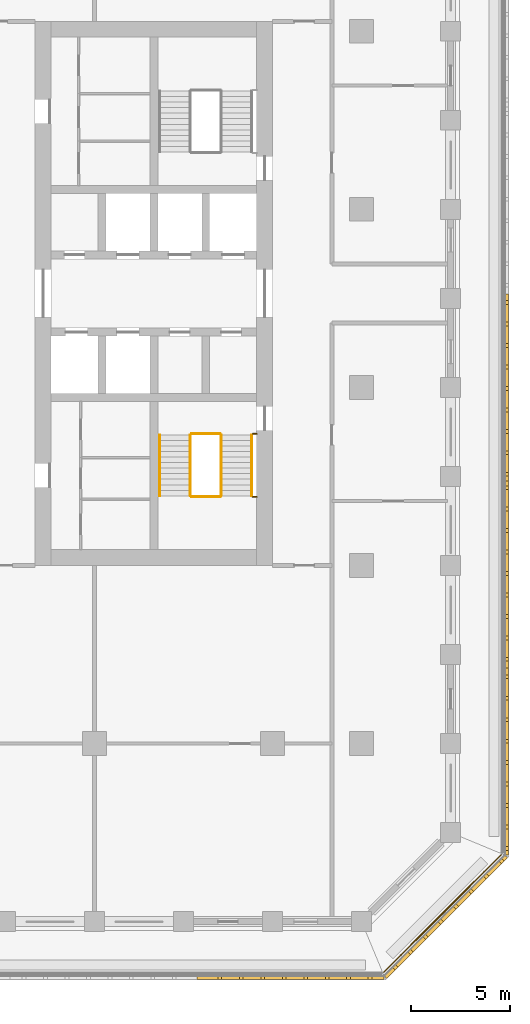
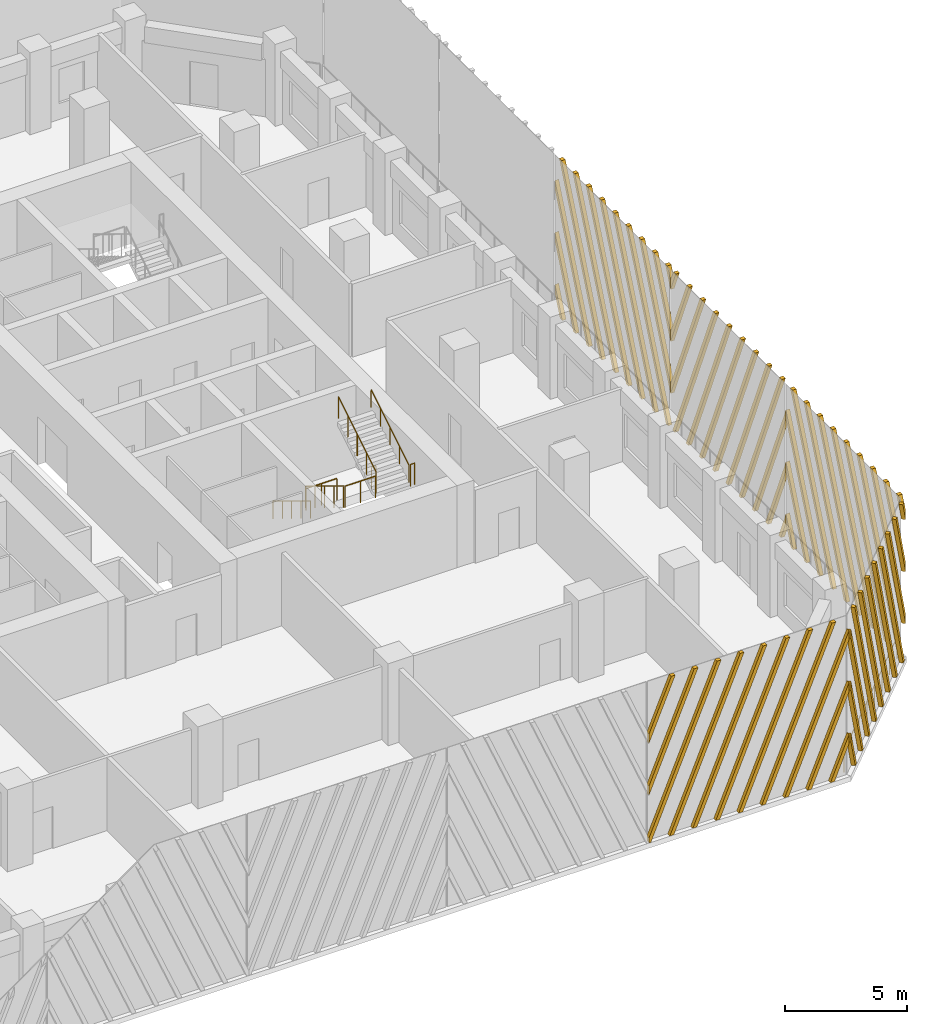
# One storey, part 11 of 16: 9 railings, 5 shading devices.
"""IFC4 building model written with IfcOpenShell, lengths in metres."""

from ifc_helpers import new_model, si_unit, direction, frame, origin, origin_2d, place, context, subcontext, project, spatial, polyline, circle, outline, extrude, source, transform, mapped, material, type_object, element, save


model = new_model("IFC4")

# Units and contexts
model_context = context("Model", 3, precision=1e-05, world=origin(), true_north=direction((0.0, 1.0)))
body_context = subcontext(model_context, "Body", "Model", "MODEL_VIEW")
ifc_project = project(units=[si_unit("LENGTHUNIT", "METRE"), si_unit("AREAUNIT", "SQUARE_METRE"), si_unit("VOLUMEUNIT", "CUBIC_METRE"), si_unit("PLANEANGLEUNIT", "RADIAN"), si_unit("MASSUNIT", "GRAM", prefix="KILO")], contexts=[model_context])

# Site, building, storey
site_placement = place(None, origin())
site = spatial("IfcSite", under=ifc_project, at=site_placement, CompositionType="ELEMENT")
building_placement = place(site_placement, origin())
building = spatial("IfcBuilding", under=site, at=building_placement, Name="Corbel Stack Research Tower", CompositionType="ELEMENT")
storey_placement = place(building_placement, frame((0.0, 0.0, 173.199951171875)))
storey = spatial("IfcBuildingStorey", under=building, at=storey_placement, Name="L39", CompositionType="ELEMENT", Elevation=173.199951171875)

# Railings
ifc_material_1 = material(Name="Steel S355", Category="steel")
railing_type_1 = type_object("IfcRailingType", Name="Stair guard 1100", PredefinedType="GUARDRAIL", material=ifc_material_1)
railing_1_placement = place(storey_placement, frame((13.85009765625, -2.39990234375, 0.1708984375)))
element("IfcRailing", 1, at=railing_1_placement, inside=storey, type_object=railing_type_1, Name="L39 ST-E1 stair guard 1", PredefinedType="GUARDRAIL", context=body_context, shape_type="SweptSolid", body=[
    extrude(circle(Radius=0.02392578125, at=origin_2d()), frame((0.0, 0.0, 1.076171875), z_axis=(0.0, -0.853666305674, 0.52082035152), x_axis=(1.0, 0.0, 0.0)), (0.0, 0.0, 1.0), 3.608154296875),
    extrude(circle(Radius=0.02099609375, at=origin_2d()), origin(), (0.0, 0.0, 1.0), 1.052001953125),
    extrude(circle(Radius=0.02099609375, at=origin_2d()), frame((0.0, -0.77001953125, 0.4697265625)), (0.0, 0.0, 1.0), 1.052001953125),
    extrude(circle(Radius=0.02099609375, at=origin_2d()), frame((0.0, -1.5400390625, 0.939453125)), (0.0, 0.0, 1.0), 1.052001953125),
    extrude(circle(Radius=0.02099609375, at=origin_2d()), frame((0.0, -2.31005859375, 1.409423828125)), (0.0, 0.0, 1.0), 1.052001953125),
    extrude(circle(Radius=0.02099609375, at=origin_2d()), frame((0.0, -3.080078125, 1.879150390625)), (0.0, 0.0, 1.0), 1.052001953125),
])
railing_2_placement = place(storey_placement, frame((13.89990234375, -5.530029296875, 2.050048828125)))
element("IfcRailing", 2, at=railing_2_placement, inside=storey, type_object=railing_type_1, Name="L39 ST-E1 stair guard 2", PredefinedType="GUARDRAIL", context=body_context, shape_type="SweptSolid", body=[
    extrude(circle(Radius=0.02392578125, at=origin_2d()), frame((0.0, 0.0, 1.076171875), z_axis=(1.0, 0.0, 0.0), x_axis=(0.0, 1.0, 0.0)), (0.0, 0.0, 1.0), 1.4501953125),
    extrude(circle(Radius=0.02099609375, at=origin_2d()), origin(), (0.0, 0.0, 1.0), 1.052001953125),
    extrude(circle(Radius=0.02099609375, at=origin_2d()), frame((0.72509765625, 0.0, 0.0)), (0.0, 0.0, 1.0), 1.052001953125),
    extrude(circle(Radius=0.02099609375, at=origin_2d()), frame((1.4501953125, 0.0, 0.0)), (0.0, 0.0, 1.0), 1.052001953125),
])
railing_3_placement = place(storey_placement, frame((17.0, -5.530029296875, 2.050048828125)))
element("IfcRailing", 3, at=railing_3_placement, inside=storey, type_object=railing_type_1, Name="L39 ST-E1 stair guard 3", PredefinedType="GUARDRAIL", context=body_context, shape_type="SweptSolid", body=[
    extrude(circle(Radius=0.02392578125, at=origin_2d()), frame((0.0, 0.0, 1.076171875), z_axis=(1.0, 0.0, 0.0), x_axis=(0.0, 1.0, 0.0)), (0.0, 0.0, 1.0), 0.199951171875),
    extrude(circle(Radius=0.02099609375, at=origin_2d()), origin(), (0.0, 0.0, 1.0), 1.052001953125),
    extrude(circle(Radius=0.02099609375, at=origin_2d()), frame((0.199951171875, 0.0, 0.0)), (0.0, 0.0, 1.0), 1.052001953125),
])
railing_4_placement = place(storey_placement, frame((15.39990234375, -5.47998046875, 2.220947265625)))
element("IfcRailing", 4, at=railing_4_placement, inside=storey, type_object=railing_type_1, Name="L39 ST-E1 stair guard 4", PredefinedType="GUARDRAIL", context=body_context, shape_type="SweptSolid", body=[
    extrude(circle(Radius=0.02392578125, at=origin_2d()), frame((0.0, 0.0, 1.076171875), z_axis=(0.0, 0.853666305674, 0.52082035152), x_axis=(-1.0, 0.0, 0.0)), (0.0, 0.0, 1.0), 3.608154296875),
    extrude(circle(Radius=0.02099609375, at=origin_2d()), origin(), (0.0, 0.0, 1.0), 1.052001953125),
    extrude(circle(Radius=0.02099609375, at=origin_2d()), frame((0.0, 0.77001953125, 0.4697265625)), (0.0, 0.0, 1.0), 1.052001953125),
    extrude(circle(Radius=0.02099609375, at=origin_2d()), frame((0.0, 1.5400390625, 0.939453125)), (0.0, 0.0, 1.0), 1.052001953125),
    extrude(circle(Radius=0.02099609375, at=origin_2d()), frame((0.0, 2.31005859375, 1.409423828125)), (0.0, 0.0, 1.0), 1.052001953125),
    extrude(circle(Radius=0.02099609375, at=origin_2d()), frame((0.0, 3.080078125, 1.879150390625)), (0.0, 0.0, 1.0), 1.052001953125),
])
railing_5_placement = place(storey_placement, frame((13.89990234375, -2.35009765625, 0.0)))
element("IfcRailing", 5, at=railing_5_placement, inside=storey, type_object=railing_type_1, Name="L39 ST-E1 stair guard 5", PredefinedType="GUARDRAIL", context=body_context, shape_type="SweptSolid", body=[
    extrude(circle(Radius=0.02392578125, at=origin_2d()), frame((0.0, 0.0, 1.076171875), z_axis=(1.0, 0.0, 0.0), x_axis=(0.0, 1.0, 0.0)), (0.0, 0.0, 1.0), 1.4501953125),
    extrude(circle(Radius=0.02099609375, at=origin_2d()), origin(), (0.0, 0.0, 1.0), 1.052001953125),
    extrude(circle(Radius=0.02099609375, at=origin_2d()), frame((0.72509765625, 0.0, 0.0)), (0.0, 0.0, 1.0), 1.052001953125),
    extrude(circle(Radius=0.02099609375, at=origin_2d()), frame((1.4501953125, 0.0, 0.0)), (0.0, 0.0, 1.0), 1.052001953125),
])
railing_6_placement = place(storey_placement, frame((17.0, -2.35009765625, 0.0)))
element("IfcRailing", 6, at=railing_6_placement, inside=storey, type_object=railing_type_1, Name="L39 ST-E1 stair guard 6", PredefinedType="GUARDRAIL", context=body_context, shape_type="SweptSolid", body=[
    extrude(circle(Radius=0.02392578125, at=origin_2d()), frame((0.0, 0.0, 1.076171875), z_axis=(1.0, 0.0, 0.0), x_axis=(0.0, 1.0, 0.0)), (0.0, 0.0, 1.0), 0.199951171875),
    extrude(circle(Radius=0.02099609375, at=origin_2d()), origin(), (0.0, 0.0, 1.0), 1.052001953125),
    extrude(circle(Radius=0.02099609375, at=origin_2d()), frame((0.199951171875, 0.0, 0.0)), (0.0, 0.0, 1.0), 1.052001953125),
])
ifc_material_2 = material(Name="Steel S355", Category="steel")
railing_type_2 = type_object("IfcRailingType", Name="Stair handrail 900", PredefinedType="HANDRAIL", material=ifc_material_2)
railing_7_placement = place(storey_placement, frame((12.300048828125, -2.39990234375, 0.1708984375)))
element("IfcRailing", 7, at=railing_7_placement, inside=storey, type_object=railing_type_2, Name="L39 ST-E1 stair handrail 1", PredefinedType="HANDRAIL", context=body_context, shape_type="SweptSolid", body=[
    extrude(circle(Radius=0.02392578125, at=origin_2d()), frame((0.0, 0.0, 0.8759765625), z_axis=(0.0, -0.853666305674, 0.52082035152), x_axis=(1.0, 0.0, 0.0)), (0.0, 0.0, 1.0), 3.608154296875),
    extrude(circle(Radius=0.02099609375, at=origin_2d()), origin(), (0.0, 0.0, 1.0), 0.851806640625),
    extrude(circle(Radius=0.02099609375, at=origin_2d()), frame((0.0, -0.77001953125, 0.4697265625)), (0.0, 0.0, 1.0), 0.851806640625),
    extrude(circle(Radius=0.02099609375, at=origin_2d()), frame((0.0, -1.5400390625, 0.939453125)), (0.0, 0.0, 1.0), 0.851806640625),
    extrude(circle(Radius=0.02099609375, at=origin_2d()), frame((0.0, -2.31005859375, 1.409423828125)), (0.0, 0.0, 1.0), 0.851806640625),
    extrude(circle(Radius=0.02099609375, at=origin_2d()), frame((0.0, -3.080078125, 1.879150390625)), (0.0, 0.0, 1.0), 0.851806640625),
])
railing_8_placement = place(storey_placement, frame((16.949951171875, -5.47998046875, 2.220947265625)))
element("IfcRailing", 8, at=railing_8_placement, inside=storey, type_object=railing_type_2, Name="L39 ST-E1 stair handrail 2", PredefinedType="HANDRAIL", context=body_context, shape_type="SweptSolid", body=[
    extrude(circle(Radius=0.02392578125, at=origin_2d()), frame((0.0, 0.0, 0.8759765625), z_axis=(0.0, 0.853666305674, 0.52082035152), x_axis=(-1.0, 0.0, 0.0)), (0.0, 0.0, 1.0), 3.608154296875),
    extrude(circle(Radius=0.02099609375, at=origin_2d()), origin(), (0.0, 0.0, 1.0), 0.851806640625),
    extrude(circle(Radius=0.02099609375, at=origin_2d()), frame((0.0, 0.77001953125, 0.4697265625)), (0.0, 0.0, 1.0), 0.851806640625),
    extrude(circle(Radius=0.02099609375, at=origin_2d()), frame((0.0, 1.5400390625, 0.939453125)), (0.0, 0.0, 1.0), 0.851806640625),
    extrude(circle(Radius=0.02099609375, at=origin_2d()), frame((0.0, 2.31005859375, 1.409423828125)), (0.0, 0.0, 1.0), 0.851806640625),
    extrude(circle(Radius=0.02099609375, at=origin_2d()), frame((0.0, 3.080078125, 1.879150390625)), (0.0, 0.0, 1.0), 0.851806640625),
])
ifc_material_3 = material(Name="Powder-coated steel guard", Category="steel")
railing_type_3 = type_object("IfcRailingType", Name="Steel and glass guard 1100", PredefinedType="GUARDRAIL", material=ifc_material_3)
railing_9_placement = place(storey_placement, frame((23.627685546875, -29.54931640625, 0.0)))
element("IfcRailing", 9, at=railing_9_placement, inside=storey, type_object=railing_type_3, Name="Loggia guard L39 SE", PredefinedType="GUARDRAIL", context=body_context, shape_type="SweptSolid", body=[
    extrude(circle(Radius=0.02392578125, at=origin_2d()), frame((0.0, 0.0, 1.076171875), z_axis=(0.707106781187, 0.707106781187, 0.0), x_axis=(-0.707106781187, 0.707106781187, 0.0)), (0.0, 0.0, 1.0), 8.37451171875),
    extrude(circle(Radius=0.02099609375, at=origin_2d()), origin(), (0.0, 0.0, 1.0), 1.052001953125),
    extrude(circle(Radius=0.02099609375, at=origin_2d()), frame((0.845947265625, 0.845947265625, 0.0)), (0.0, 0.0, 1.0), 1.052001953125),
    extrude(circle(Radius=0.02099609375, at=origin_2d()), frame((1.69189453125, 1.69189453125, 0.0)), (0.0, 0.0, 1.0), 1.052001953125),
    extrude(circle(Radius=0.02099609375, at=origin_2d()), frame((2.537841796875, 2.537841796875, 0.0)), (0.0, 0.0, 1.0), 1.052001953125),
    extrude(circle(Radius=0.02099609375, at=origin_2d()), frame((3.3837890625, 3.3837890625, 0.0)), (0.0, 0.0, 1.0), 1.052001953125),
    extrude(circle(Radius=0.02099609375, at=origin_2d()), frame((4.229736328125, 4.229736328125, 0.0)), (0.0, 0.0, 1.0), 1.052001953125),
    extrude(circle(Radius=0.02099609375, at=origin_2d()), frame((5.07568359375, 5.07568359375, 0.0)), (0.0, 0.0, 1.0), 1.052001953125),
    extrude(circle(Radius=0.02099609375, at=origin_2d()), frame((5.921630859375, 5.921630859375, 0.0)), (0.0, 0.0, 1.0), 1.052001953125),
])

# Shading devices
ifc_material_4 = material(Name="Precast terracotta", Category="masonry")
shading_device_type = type_object("IfcShadingDeviceType", Name="Terracotta screen panel", PredefinedType="USERDEFINED", material=ifc_material_4)
shared_shape_1 = source(origin(), body_context, "Body", "SweptSolid", [
    extrude(outline(polyline([(1.245849609375, 7.949951171875), (1.055908203125, 7.949951171875), (0.0, 5.421875), (0.0, 4.966796875), (1.245849609375, 7.949951171875)])), frame((0.0, 0.0, 0.0), z_axis=(0.0, -1.0, 0.0), x_axis=(1.0, 0.0, 0.0)), (0.0, 0.0, 1.0), 0.179931640625),
    extrude(outline(polyline([(2.33056640625, 7.949951171875), (2.140380859375, 7.949951171875), (0.0, 2.82470703125), (0.0, 2.36962890625), (2.33056640625, 7.949951171875)])), frame((0.0, 0.0, 0.0), z_axis=(0.0, -1.0, 0.0), x_axis=(1.0, 0.0, 0.0)), (0.0, 0.0, 1.0), 0.179931640625),
    extrude(outline(polyline([(0.094970703125, 0.0), (3.415283203125, 7.949951171875), (3.22509765625, 7.949951171875), (0.0, 0.2275390625), (0.0, 0.0), (0.094970703125, 0.0)])), frame((0.0, 0.0, 0.0), z_axis=(0.0, -1.0, 0.0), x_axis=(1.0, 0.0, 0.0)), (0.0, 0.0, 1.0), 0.179931640625),
    extrude(outline(polyline([(1.1796875, 0.0), (4.499755859375, 7.949951171875), (4.309814453125, 7.949951171875), (0.98974609375, 0.0), (1.1796875, 0.0)])), frame((0.0, 0.0, 0.0), z_axis=(0.0, -1.0, 0.0), x_axis=(1.0, 0.0, 0.0)), (0.0, 0.0, 1.0), 0.179931640625),
    extrude(outline(polyline([(2.264404296875, 0.0), (5.58447265625, 7.949951171875), (5.39453125, 7.949951171875), (2.07421875, 0.0), (2.264404296875, 0.0)])), frame((0.0, 0.0, 0.0), z_axis=(0.0, -1.0, 0.0), x_axis=(1.0, 0.0, 0.0)), (0.0, 0.0, 1.0), 0.179931640625),
    extrude(outline(polyline([(3.34912109375, 0.0), (6.669189453125, 7.949951171875), (6.479248046875, 7.949951171875), (3.158935546875, 0.0), (3.34912109375, 0.0)])), frame((0.0, 0.0, 0.0), z_axis=(0.0, -1.0, 0.0), x_axis=(1.0, 0.0, 0.0)), (0.0, 0.0, 1.0), 0.179931640625),
    extrude(outline(polyline([(4.43359375, 0.0), (7.75390625, 7.949951171875), (7.563720703125, 7.949951171875), (4.24365234375, 0.0), (4.43359375, 0.0)])), frame((0.0, 0.0, 0.0), z_axis=(0.0, -1.0, 0.0), x_axis=(1.0, 0.0, 0.0)), (0.0, 0.0, 1.0), 0.179931640625),
    extrude(outline(polyline([(5.518310546875, 0.0), (8.83837890625, 7.949951171875), (8.6484375, 7.949951171875), (5.328369140625, 0.0), (5.518310546875, 0.0)])), frame((0.0, 0.0, 0.0), z_axis=(0.0, -1.0, 0.0), x_axis=(1.0, 0.0, 0.0)), (0.0, 0.0, 1.0), 0.179931640625),
    extrude(outline(polyline([(6.60302734375, 0.0), (9.45556640625, 6.83056640625), (9.45556640625, 7.285400390625), (6.4130859375, 0.0), (6.60302734375, 0.0)])), frame((0.0, 0.0, 0.0), z_axis=(0.0, -1.0, 0.0), x_axis=(1.0, 0.0, 0.0)), (0.0, 0.0, 1.0), 0.179931640625),
    extrude(outline(polyline([(7.687744140625, 0.0), (9.45556640625, 4.2333984375), (9.45556640625, 4.688232421875), (7.497802734375, 0.0), (7.687744140625, 0.0)])), frame((0.0, 0.0, 0.0), z_axis=(0.0, -1.0, 0.0), x_axis=(1.0, 0.0, 0.0)), (0.0, 0.0, 1.0), 0.179931640625),
    extrude(outline(polyline([(8.772216796875, 0.0), (9.45556640625, 1.635986328125), (9.45556640625, 2.091064453125), (8.582275390625, 0.0), (8.772216796875, 0.0)])), frame((0.0, 0.0, 0.0), z_axis=(0.0, -1.0, 0.0), x_axis=(1.0, 0.0, 0.0)), (0.0, 0.0, 1.0), 0.179931640625),
])
shading_device_1_placement = place(storey_placement, frame((14.18359375, -29.75, 0.0), z_axis=(0.0, 0.0, 1.0), x_axis=(1.0, 0.0, 0.0)))
element("IfcShadingDevice", 10, at=shading_device_1_placement, inside=storey, type_object=shading_device_type, Name="Terracotta screen L39 S5", ObjectType="SCREEN", PredefinedType="USERDEFINED", context=body_context, shape_type="MappedRepresentation", body=[
    mapped(shared_shape_1, transform((0.0, 0.0, 0.0))),
])
shared_shape_2 = source(origin(), body_context, "Body", "SweptSolid", [
    extrude(outline(polyline([(0.873291015625, 0.0), (0.0, 2.091064453125), (0.0, 1.635986328125), (0.683349609375, 0.0), (0.873291015625, 0.0)])), frame((0.0, 0.0, 0.0), z_axis=(0.0, -1.0, 0.0), x_axis=(1.0, 0.0, 0.0)), (0.0, 0.0, 1.0), 0.179931640625),
    extrude(outline(polyline([(1.9580078125, 0.0), (0.0, 4.688232421875), (0.0, 4.2333984375), (1.76806640625, 0.0), (1.9580078125, 0.0)])), frame((0.0, 0.0, 0.0), z_axis=(0.0, -1.0, 0.0), x_axis=(1.0, 0.0, 0.0)), (0.0, 0.0, 1.0), 0.179931640625),
    extrude(outline(polyline([(3.04248046875, 0.0), (0.0, 7.285400390625), (0.0, 6.83056640625), (2.8525390625, 0.0), (3.04248046875, 0.0)])), frame((0.0, 0.0, 0.0), z_axis=(0.0, -1.0, 0.0), x_axis=(1.0, 0.0, 0.0)), (0.0, 0.0, 1.0), 0.179931640625),
    extrude(outline(polyline([(4.127197265625, 0.0), (0.80712890625, 7.949951171875), (0.6171875, 7.949951171875), (3.937255859375, 0.0), (4.127197265625, 0.0)])), frame((0.0, 0.0, 0.0), z_axis=(0.0, -1.0, 0.0), x_axis=(1.0, 0.0, 0.0)), (0.0, 0.0, 1.0), 0.179931640625),
    extrude(outline(polyline([(5.2119140625, 0.0), (1.891845703125, 7.949951171875), (1.701904296875, 7.949951171875), (5.02197265625, 0.0), (5.2119140625, 0.0)])), frame((0.0, 0.0, 0.0), z_axis=(0.0, -1.0, 0.0), x_axis=(1.0, 0.0, 0.0)), (0.0, 0.0, 1.0), 0.179931640625),
    extrude(outline(polyline([(6.296630859375, 0.0), (2.9765625, 7.949951171875), (2.78662109375, 7.949951171875), (6.106689453125, 0.0), (6.296630859375, 0.0)])), frame((0.0, 0.0, 0.0), z_axis=(0.0, -1.0, 0.0), x_axis=(1.0, 0.0, 0.0)), (0.0, 0.0, 1.0), 0.179931640625),
    extrude(outline(polyline([(7.38134765625, 0.0), (4.06103515625, 7.949951171875), (3.87109375, 7.949951171875), (7.19140625, 0.0), (7.38134765625, 0.0)])), frame((0.0, 0.0, 0.0), z_axis=(0.0, -1.0, 0.0), x_axis=(1.0, 0.0, 0.0)), (0.0, 0.0, 1.0), 0.179931640625),
    extrude(outline(polyline([(8.466064453125, 0.0), (5.145751953125, 7.949951171875), (4.955810546875, 7.949951171875), (8.27587890625, 0.0), (8.466064453125, 0.0)])), frame((0.0, 0.0, 0.0), z_axis=(0.0, -1.0, 0.0), x_axis=(1.0, 0.0, 0.0)), (0.0, 0.0, 1.0), 0.179931640625),
    extrude(outline(polyline([(6.23046875, 7.949951171875), (6.04052734375, 7.949951171875), (8.64208984375, 1.720458984375), (8.64208984375, 2.17529296875), (6.23046875, 7.949951171875)])), frame((0.0, 0.0, 0.0), z_axis=(0.0, -1.0, 0.0), x_axis=(1.0, 0.0, 0.0)), (0.0, 0.0, 1.0), 0.179931640625),
    extrude(outline(polyline([(7.315185546875, 7.949951171875), (7.125, 7.949951171875), (8.64208984375, 4.317626953125), (8.64208984375, 4.7724609375), (7.315185546875, 7.949951171875)])), frame((0.0, 0.0, 0.0), z_axis=(0.0, -1.0, 0.0), x_axis=(1.0, 0.0, 0.0)), (0.0, 0.0, 1.0), 0.179931640625),
    extrude(outline(polyline([(8.39990234375, 7.949951171875), (8.209716796875, 7.949951171875), (8.64208984375, 6.914794921875), (8.64208984375, 7.36962890625), (8.39990234375, 7.949951171875)])), frame((0.0, 0.0, 0.0), z_axis=(0.0, -1.0, 0.0), x_axis=(1.0, 0.0, 0.0)), (0.0, 0.0, 1.0), 0.179931640625),
])
shading_device_2_placement = place(storey_placement, frame((23.63916015625, -29.75, 0.0), z_axis=(0.0, 0.0, 1.0), x_axis=(0.707106781187, 0.707106781187, 0.0)))
element("IfcShadingDevice", 11, at=shading_device_2_placement, inside=storey, type_object=shading_device_type, Name="Terracotta screen L39 SE1", ObjectType="SCREEN", PredefinedType="USERDEFINED", context=body_context, shape_type="MappedRepresentation", body=[
    mapped(shared_shape_2, transform((0.0, 0.0, 0.0))),
])
shared_shape_3 = source(origin(), body_context, "Body", "SweptSolid", [
    extrude(outline(polyline([(0.432373046875, 7.949951171875), (0.2421875, 7.949951171875), (0.0, 7.36962890625), (0.0, 6.914794921875), (0.432373046875, 7.949951171875)])), frame((0.0, 0.0, 0.0), z_axis=(0.0, -1.0, 0.0), x_axis=(1.0, 0.0, 0.0)), (0.0, 0.0, 1.0), 0.179931640625),
    extrude(outline(polyline([(1.51708984375, 7.949951171875), (1.326904296875, 7.949951171875), (0.0, 4.7724609375), (0.0, 4.317626953125), (1.51708984375, 7.949951171875)])), frame((0.0, 0.0, 0.0), z_axis=(0.0, -1.0, 0.0), x_axis=(1.0, 0.0, 0.0)), (0.0, 0.0, 1.0), 0.179931640625),
    extrude(outline(polyline([(2.601806640625, 7.949951171875), (2.41162109375, 7.949951171875), (0.0, 2.17529296875), (0.0, 1.720458984375), (2.601806640625, 7.949951171875)])), frame((0.0, 0.0, 0.0), z_axis=(0.0, -1.0, 0.0), x_axis=(1.0, 0.0, 0.0)), (0.0, 0.0, 1.0), 0.179931640625),
    extrude(outline(polyline([(0.3662109375, 0.0), (3.686279296875, 7.949951171875), (3.496337890625, 7.949951171875), (0.17626953125, 0.0), (0.3662109375, 0.0)])), frame((0.0, 0.0, 0.0), z_axis=(0.0, -1.0, 0.0), x_axis=(1.0, 0.0, 0.0)), (0.0, 0.0, 1.0), 0.179931640625),
    extrude(outline(polyline([(1.45068359375, 0.0), (4.77099609375, 7.949951171875), (4.5810546875, 7.949951171875), (1.2607421875, 0.0), (1.45068359375, 0.0)])), frame((0.0, 0.0, 0.0), z_axis=(0.0, -1.0, 0.0), x_axis=(1.0, 0.0, 0.0)), (0.0, 0.0, 1.0), 0.179931640625),
    extrude(outline(polyline([(2.535400390625, 0.0), (5.855712890625, 7.949951171875), (5.665771484375, 7.949951171875), (2.345458984375, 0.0), (2.535400390625, 0.0)])), frame((0.0, 0.0, 0.0), z_axis=(0.0, -1.0, 0.0), x_axis=(1.0, 0.0, 0.0)), (0.0, 0.0, 1.0), 0.179931640625),
    extrude(outline(polyline([(3.6201171875, 0.0), (6.940185546875, 7.949951171875), (6.750244140625, 7.949951171875), (3.43017578125, 0.0), (3.6201171875, 0.0)])), frame((0.0, 0.0, 0.0), z_axis=(0.0, -1.0, 0.0), x_axis=(1.0, 0.0, 0.0)), (0.0, 0.0, 1.0), 0.179931640625),
    extrude(outline(polyline([(4.704833984375, 0.0), (8.02490234375, 7.949951171875), (7.8349609375, 7.949951171875), (4.514892578125, 0.0), (4.704833984375, 0.0)])), frame((0.0, 0.0, 0.0), z_axis=(0.0, -1.0, 0.0), x_axis=(1.0, 0.0, 0.0)), (0.0, 0.0, 1.0), 0.179931640625),
    extrude(outline(polyline([(5.78955078125, 0.0), (9.109619140625, 7.949951171875), (8.919677734375, 7.949951171875), (5.599609375, 0.0), (5.78955078125, 0.0)])), frame((0.0, 0.0, 0.0), z_axis=(0.0, -1.0, 0.0), x_axis=(1.0, 0.0, 0.0)), (0.0, 0.0, 1.0), 0.179931640625),
    extrude(outline(polyline([(6.874267578125, 0.0), (9.45556640625, 6.18115234375), (9.45556640625, 6.63623046875), (6.68408203125, 0.0), (6.874267578125, 0.0)])), frame((0.0, 0.0, 0.0), z_axis=(0.0, -1.0, 0.0), x_axis=(1.0, 0.0, 0.0)), (0.0, 0.0, 1.0), 0.179931640625),
    extrude(outline(polyline([(7.958740234375, 0.0), (9.45556640625, 3.583984375), (9.45556640625, 4.0390625), (7.768798828125, 0.0), (7.958740234375, 0.0)])), frame((0.0, 0.0, 0.0), z_axis=(0.0, -1.0, 0.0), x_axis=(1.0, 0.0, 0.0)), (0.0, 0.0, 1.0), 0.179931640625),
    extrude(outline(polyline([(9.04345703125, 0.0), (9.45556640625, 0.98681640625), (9.45556640625, 1.44189453125), (8.853515625, 0.0), (9.04345703125, 0.0)])), frame((0.0, 0.0, 0.0), z_axis=(0.0, -1.0, 0.0), x_axis=(1.0, 0.0, 0.0)), (0.0, 0.0, 1.0), 0.179931640625),
])
for number, where, z_axis, x_axis, name in (
    (12, (29.75, -23.63916015625, 0.0), (0.0, 0.0, 1.0), (0.0, 1.0, 0.0), "Terracotta screen L39 E1"),
    (13, (29.75, -4.727783203125, 0.0), (0.0, 0.0, 1.0), (0.0, 1.0, 0.0), "Terracotta screen L39 E3"),
):
    element("IfcShadingDevice", number, at=place(storey_placement, frame(where, z_axis=z_axis, x_axis=x_axis)), inside=storey, type_object=shading_device_type, Name=name, ObjectType="SCREEN", PredefinedType="USERDEFINED", context=body_context, shape_type="MappedRepresentation", body=[
        mapped(shared_shape_3, transform((0.0, 0.0, 0.0))),
    ])
shared_shape_4 = source(origin(), body_context, "Body", "SweptSolid", [
    extrude(outline(polyline([(0.60205078125, 0.0), (0.0, 1.44189453125), (0.0, 0.98681640625), (0.412109375, 0.0), (0.60205078125, 0.0)])), frame((0.0, 0.0, 0.0), z_axis=(0.0, -1.0, 0.0), x_axis=(1.0, 0.0, 0.0)), (0.0, 0.0, 1.0), 0.179931640625),
    extrude(outline(polyline([(1.686767578125, 0.0), (0.0, 4.0390625), (0.0, 3.583984375), (1.496826171875, 0.0), (1.686767578125, 0.0)])), frame((0.0, 0.0, 0.0), z_axis=(0.0, -1.0, 0.0), x_axis=(1.0, 0.0, 0.0)), (0.0, 0.0, 1.0), 0.179931640625),
    extrude(outline(polyline([(2.771484375, 0.0), (0.0, 6.63623046875), (0.0, 6.18115234375), (2.58154296875, 0.0), (2.771484375, 0.0)])), frame((0.0, 0.0, 0.0), z_axis=(0.0, -1.0, 0.0), x_axis=(1.0, 0.0, 0.0)), (0.0, 0.0, 1.0), 0.179931640625),
    extrude(outline(polyline([(3.856201171875, 0.0), (0.535888671875, 7.949951171875), (0.345947265625, 7.949951171875), (3.666015625, 0.0), (3.856201171875, 0.0)])), frame((0.0, 0.0, 0.0), z_axis=(0.0, -1.0, 0.0), x_axis=(1.0, 0.0, 0.0)), (0.0, 0.0, 1.0), 0.179931640625),
    extrude(outline(polyline([(4.94091796875, 0.0), (1.62060546875, 7.949951171875), (1.4306640625, 7.949951171875), (4.750732421875, 0.0), (4.94091796875, 0.0)])), frame((0.0, 0.0, 0.0), z_axis=(0.0, -1.0, 0.0), x_axis=(1.0, 0.0, 0.0)), (0.0, 0.0, 1.0), 0.179931640625),
    extrude(outline(polyline([(6.025390625, 0.0), (2.705322265625, 7.949951171875), (2.515380859375, 7.949951171875), (5.83544921875, 0.0), (6.025390625, 0.0)])), frame((0.0, 0.0, 0.0), z_axis=(0.0, -1.0, 0.0), x_axis=(1.0, 0.0, 0.0)), (0.0, 0.0, 1.0), 0.179931640625),
    extrude(outline(polyline([(7.110107421875, 0.0), (3.7900390625, 7.949951171875), (3.60009765625, 7.949951171875), (6.920166015625, 0.0), (7.110107421875, 0.0)])), frame((0.0, 0.0, 0.0), z_axis=(0.0, -1.0, 0.0), x_axis=(1.0, 0.0, 0.0)), (0.0, 0.0, 1.0), 0.179931640625),
    extrude(outline(polyline([(8.19482421875, 0.0), (4.87451171875, 7.949951171875), (4.6845703125, 7.949951171875), (8.0048828125, 0.0), (8.19482421875, 0.0)])), frame((0.0, 0.0, 0.0), z_axis=(0.0, -1.0, 0.0), x_axis=(1.0, 0.0, 0.0)), (0.0, 0.0, 1.0), 0.179931640625),
    extrude(outline(polyline([(9.279541015625, 0.0), (5.959228515625, 7.949951171875), (5.769287109375, 7.949951171875), (9.089599609375, 0.0), (9.279541015625, 0.0)])), frame((0.0, 0.0, 0.0), z_axis=(0.0, -1.0, 0.0), x_axis=(1.0, 0.0, 0.0)), (0.0, 0.0, 1.0), 0.179931640625),
    extrude(outline(polyline([(7.0439453125, 7.949951171875), (6.85400390625, 7.949951171875), (9.45556640625, 1.720458984375), (9.45556640625, 2.17529296875), (7.0439453125, 7.949951171875)])), frame((0.0, 0.0, 0.0), z_axis=(0.0, -1.0, 0.0), x_axis=(1.0, 0.0, 0.0)), (0.0, 0.0, 1.0), 0.179931640625),
    extrude(outline(polyline([(8.128662109375, 7.949951171875), (7.938720703125, 7.949951171875), (9.45556640625, 4.317626953125), (9.45556640625, 4.7724609375), (8.128662109375, 7.949951171875)])), frame((0.0, 0.0, 0.0), z_axis=(0.0, -1.0, 0.0), x_axis=(1.0, 0.0, 0.0)), (0.0, 0.0, 1.0), 0.179931640625),
    extrude(outline(polyline([(9.21337890625, 7.949951171875), (9.023193359375, 7.949951171875), (9.45556640625, 6.914794921875), (9.45556640625, 7.36962890625), (9.21337890625, 7.949951171875)])), frame((0.0, 0.0, 0.0), z_axis=(0.0, -1.0, 0.0), x_axis=(1.0, 0.0, 0.0)), (0.0, 0.0, 1.0), 0.179931640625),
])
shading_device_3_placement = place(storey_placement, frame((29.75, -14.18359375, 0.0), z_axis=(0.0, 0.0, 1.0), x_axis=(0.0, 1.0, 0.0)))
element("IfcShadingDevice", 14, at=shading_device_3_placement, inside=storey, type_object=shading_device_type, Name="Terracotta screen L39 E2", ObjectType="SCREEN", PredefinedType="USERDEFINED", context=body_context, shape_type="MappedRepresentation", body=[
    mapped(shared_shape_4, transform((0.0, 0.0, 0.0))),
])

save(model, "model.ifc")
